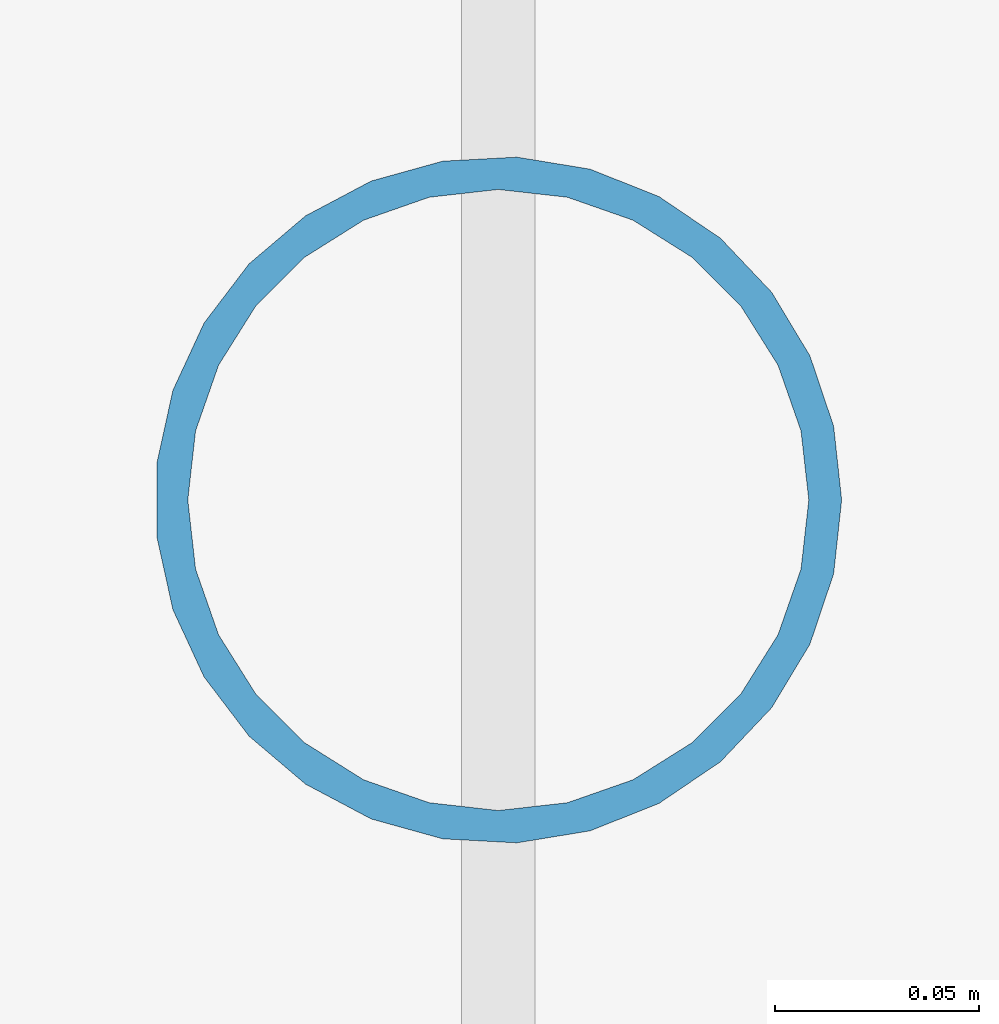
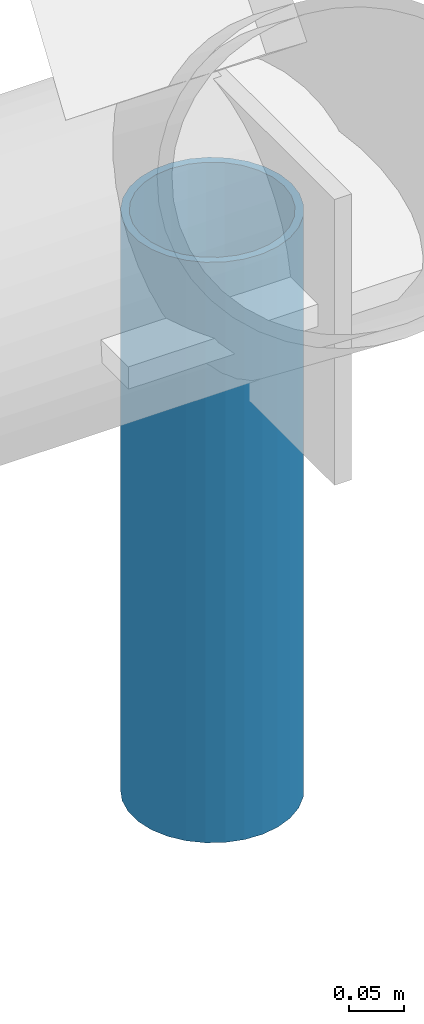
# One storey, part 74 of 82: 1 member.
"""IFC4 building model written with IfcOpenShell, lengths in metres."""

import ifcopenshell
import ifcopenshell.guid

model = None  # the IFC model being written
_history = None  # IfcOwnerHistory: only IFC2X3 demands one
_inside = {}  # id of a spatial element -> (the spatial element, [elements in it])
_under = {}  # id of a project, library or spatial element -> (it, [spatial elements below it])
_declared = {}  # id of a project -> (the project, [libraries it declares])
_typed = {}  # id of a type object -> (the type object, [elements of that type])
_made_of = {}  # id of a material, layer set ... -> (it, [elements and type objects made of it])


def new_model(schema):
    """Start an empty IFC model of exactly this schema.

    Asked for "IFC4X3", IfcOpenShell would pick the latest addendum, in which some entities
    have other attributes; the version numbers below select the first issue.
    IFC2X3 requires an IfcOwnerHistory on every rooted entity: one is made here for all.
    """
    global model, _history
    if schema == "IFC4X3":
        model = ifcopenshell.file(schema_version=(4, 3, 0, 0))
    else:
        model = ifcopenshell.file(schema=schema)
    _inside.clear()
    _under.clear()
    _declared.clear()
    _typed.clear()
    _made_of.clear()
    _history = None
    if model.schema == "IFC2X3":
        org = make("IfcOrganization", Name="unknown")
        user = make(
            "IfcPersonAndOrganization",
            ThePerson=make("IfcPerson", FamilyName="unknown"),
            TheOrganization=org,
        )
        app = make(
            "IfcApplication",
            ApplicationDeveloper=org,
            Version="unknown",
            ApplicationFullName="unknown",
            ApplicationIdentifier="unknown",
        )
        _history = make(
            "IfcOwnerHistory",
            OwningUser=user,
            OwningApplication=app,
            ChangeAction="ADDED",
            CreationDate=0,
        )
    return model


def make(cls, **values):
    """One entity of the class cls with the attributes given. An attribute that is None is left unset."""
    return model.create_entity(
        cls, **{name: value for name, value in values.items() if value is not None}
    )


def rooted(cls, **values):
    """An entity with a GlobalId (a new one), such as an element, a storey or a relation."""
    return make(cls, GlobalId=ifcopenshell.guid.new(), OwnerHistory=_history, **values)


def si_unit(unit_type, name, prefix=None):
    """IfcSIUnit, for example si_unit("LENGTHUNIT", "METRE", prefix="MILLI")."""
    return make("IfcSIUnit", UnitType=unit_type, Prefix=prefix, Name=name)


def assignment(units):
    """IfcUnitAssignment: the units of a project."""
    return None if units is None else make("IfcUnitAssignment", Units=units)


def point(xyz):
    """IfcCartesianPoint."""
    return None if xyz is None else make("IfcCartesianPoint", Coordinates=xyz)


def direction(xyz):
    """IfcDirection."""
    return None if xyz is None else make("IfcDirection", DirectionRatios=xyz)


def frame(location, z_axis=None, x_axis=None):
    """IfcAxis2Placement3D, a coordinate frame: its origin and axes. An axis left out is left unset."""
    return make(
        "IfcAxis2Placement3D",
        Location=point(location),
        Axis=direction(z_axis),
        RefDirection=direction(x_axis),
    )


def frame_2d(location, x_axis=None):
    """IfcAxis2Placement2D, a coordinate frame in the plane: its origin and x axis."""
    return make(
        "IfcAxis2Placement2D", Location=point(location), RefDirection=direction(x_axis)
    )


def origin():
    """The frame at (0, 0, 0) with its axes left unset."""
    return frame((0.0, 0.0, 0.0))


def origin_2d():
    """The frame at (0, 0) in the plane with its x axis left unset."""
    return frame_2d((0.0, 0.0))


def place(relative_to, where):
    """IfcLocalPlacement: puts the frame where relative to a parent placement (None: the world)."""
    return make(
        "IfcLocalPlacement", PlacementRelTo=relative_to, RelativePlacement=where
    )


def context(
    kind, dimensions, precision=None, world=None, true_north=None, identifier=None
):
    """IfcGeometricRepresentationContext, for example the 3D "Model" context."""
    return make(
        "IfcGeometricRepresentationContext",
        ContextIdentifier=identifier,
        ContextType=kind,
        CoordinateSpaceDimension=dimensions,
        Precision=precision,
        WorldCoordinateSystem=world,
        TrueNorth=true_north,
    )


def subcontext(parent, identifier, kind, view, scale=None):
    """IfcGeometricRepresentationSubContext, for example "Body" below "Model"."""
    return make(
        "IfcGeometricRepresentationSubContext",
        ContextIdentifier=identifier,
        ContextType=kind,
        ParentContext=parent,
        TargetScale=scale,
        TargetView=view,
    )


def project(units=None, contexts=None):
    """IfcProject with its units and contexts."""
    return rooted(
        "IfcProject",
        Name="project",
        RepresentationContexts=contexts,
        UnitsInContext=assignment(units),
    )


def spatial(cls, under=None, at=None, **own):
    """A site, building, storey or space (cls), placed at a placement, below another one or the project."""
    s = rooted(cls, ObjectPlacement=at, **own)
    if under is not None:
        _under.setdefault(under.id(), (under, []))[1].append(s)
    return s


def profile(cls, at=None, kind="AREA", **sizes):
    """A parametric profile (cls). Its sizes go by their IFC names, for example OverallWidth=200.0."""
    return make(cls, ProfileType=kind, Position=at, **sizes)


def hollow_circle(**sizes):
    """IfcCircleHollowProfileDef."""
    return profile("IfcCircleHollowProfileDef", **sizes)


def extrude(swept, where, along, depth):
    """IfcExtrudedAreaSolid: the profile swept, set in the frame where, extruded along a direction by depth."""
    return make(
        "IfcExtrudedAreaSolid",
        SweptArea=swept,
        Position=where,
        ExtrudedDirection=direction(along),
        Depth=depth,
    )


def shape(context_of_items, identifier, shape_type, items):
    """IfcShapeRepresentation: the items that make up one representation, for example the "Body"."""
    return make(
        "IfcShapeRepresentation",
        ContextOfItems=context_of_items,
        RepresentationIdentifier=identifier,
        RepresentationType=shape_type,
        Items=items,
    )


def material(Name=None, Category=None):
    """IfcMaterial."""
    return make("IfcMaterial", Name=Name, Category=Category)


def material_profile(
    of_material, cross_section, Name=None, Category=None, Priority=None
):
    """IfcMaterialProfile: a cross section and its material."""
    return make(
        "IfcMaterialProfile",
        Name=Name,
        Material=of_material,
        Profile=cross_section,
        Priority=Priority,
        Category=Category,
    )


def profile_set(profiles, Name=None, composite=None):
    """IfcMaterialProfileSet."""
    return make(
        "IfcMaterialProfileSet",
        Name=Name,
        MaterialProfiles=profiles,
        CompositeProfile=composite,
    )


def made_of(thing, what):
    """Note that an element or type object is made of a material, layer set ...; save() writes the relation."""
    if what is not None:
        _made_of.setdefault(what.id(), (what, []))[1].append(thing)
    return thing


def type_object(cls, material=None, **own):
    """A type object (cls), such as IfcWallType, which elements share."""
    return made_of(rooted(cls, **own), material)


def element(
    cls,
    number,
    at=None,
    inside=None,
    cuts=None,
    type_object=None,
    material=None,
    context=None,
    identifier="Body",
    shape_type=None,
    held_by="IfcProductDefinitionShape",
    body=None,
    shapes=None,
    **own,
):
    """One element of the class cls, such as IfcWall. Its Tag is "e" and its number.

    at: its placement. inside: the storey or other place that contains it. cuts: it is an
    opening in that element (IfcRelVoidsElement). A single representation is given by context,
    identifier, shape_type and body (its items); several are given by shapes. held_by: the class
    of the entity that holds the representations. save() writes the other relations.
    """
    e = rooted(cls, Tag="e%d" % number, ObjectPlacement=at, **own)
    if body is not None:
        shapes = [shape(context, identifier, shape_type, body)]
    if shapes is not None:
        e.Representation = make(held_by, Representations=shapes)
    if inside is not None:
        _inside.setdefault(inside.id(), (inside, []))[1].append(e)
    if cuts is not None:
        rooted(
            "IfcRelVoidsElement", RelatingBuildingElement=cuts, RelatedOpeningElement=e
        )
    if type_object is not None:
        _typed.setdefault(type_object.id(), (type_object, []))[1].append(e)
    return made_of(e, material)


def aggregate(whole, parts):
    """IfcRelAggregates: a whole, such as a stair, and the parts it consists of."""
    return rooted("IfcRelAggregates", RelatingObject=whole, RelatedObjects=parts)


def save(model, path):
    """Write the relations noted so far, then the file.

    IfcRelAggregates (storeys below a building ...), IfcRelContainedInSpatialStructure (elements
    in a storey), IfcRelDefinesByType, IfcRelAssociatesMaterial and IfcRelDeclares: one each for
    every whole, place, type object, material and project.
    """
    for whole, parts in _under.values():
        aggregate(whole, parts)
    for where, things in _inside.values():
        rooted(
            "IfcRelContainedInSpatialStructure",
            RelatedElements=things,
            RelatingStructure=where,
        )
    for kind, things in _typed.values():
        rooted("IfcRelDefinesByType", RelatedObjects=things, RelatingType=kind)
    for what, things in _made_of.values():
        rooted("IfcRelAssociatesMaterial", RelatedObjects=things, RelatingMaterial=what)
    for by, libraries in _declared.values():
        rooted("IfcRelDeclares", RelatingContext=by, RelatedDefinitions=libraries)
    model.write(path)


model = new_model("IFC4")

# Units and contexts
model_context = context("Model", 3, precision=1e-05, world=origin(), true_north=direction((0.0, 1.0)))
body_context = subcontext(model_context, "Body", "Model", "MODEL_VIEW")
ifc_project = project(units=[si_unit("LENGTHUNIT", "METRE"), si_unit("AREAUNIT", "SQUARE_METRE"), si_unit("VOLUMEUNIT", "CUBIC_METRE"), si_unit("PLANEANGLEUNIT", "RADIAN"), si_unit("MASSUNIT", "GRAM", prefix="KILO")], contexts=[model_context])

# Site, building, storey
site_placement = place(None, origin())
site = spatial("IfcSite", under=ifc_project, at=site_placement, CompositionType="ELEMENT")
building_placement = place(site_placement, origin())
building = spatial("IfcBuilding", under=site, at=building_placement, Name="Bramfleet General Hospital", CompositionType="ELEMENT")
storey_placement = place(building_placement, frame((0.0, 0.0, 34.199951171875)))
storey = spatial("IfcBuildingStorey", under=building, at=storey_placement, Name="Roof", CompositionType="ELEMENT", Elevation=34.199951171875)

# Member
ifc_material = material(Name="Steel S355", Category="steel")
ifc_material_profile = material_profile(ifc_material, hollow_circle(Radius=0.084228515625, WallThickness=0.008056640625, at=origin_2d()), Name="CHS 168.3x8.0")
ifc_profile_set = profile_set([ifc_material_profile], Name="Steel S355")
member_type = type_object("IfcMemberType", Name="MEM-SF-DG1", PredefinedType="STRUT", material=ifc_profile_set)
member_placement = place(storey_placement, frame((91.949951171875, 50.35009765625, -20.099853515625), z_axis=(0.0, 0.0, 1.0), x_axis=(1.0, 0.0, 0.0)))
element("IfcMember", 1, at=member_placement, inside=storey, type_object=member_type, Name="Space Frame Springing Pedestal 7-6", PredefinedType="STRUT", context=body_context, shape_type="SweptSolid", body=[
    extrude(hollow_circle(Radius=0.084228515625, WallThickness=0.008056640625, at=origin_2d()), origin(), (0.0, 0.0, 1.0), 0.64990234375),
])

save(model, "model.ifc")
